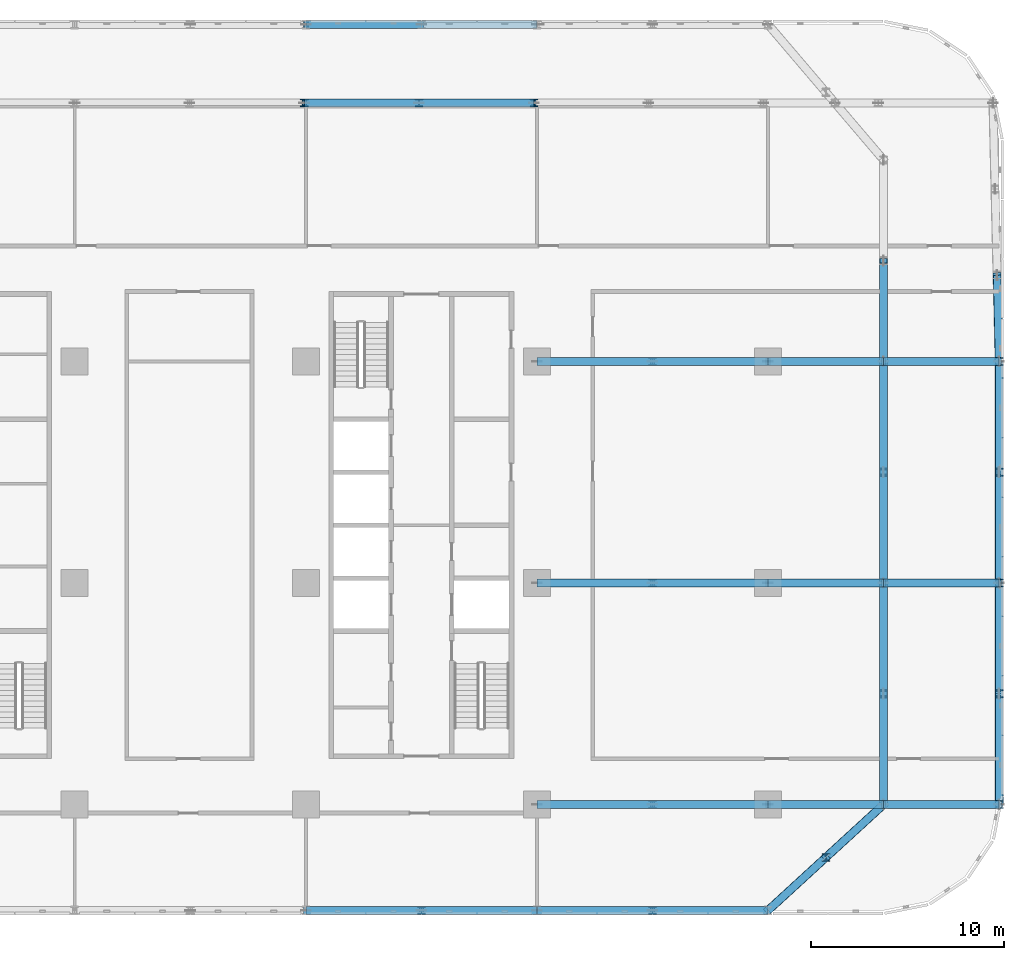
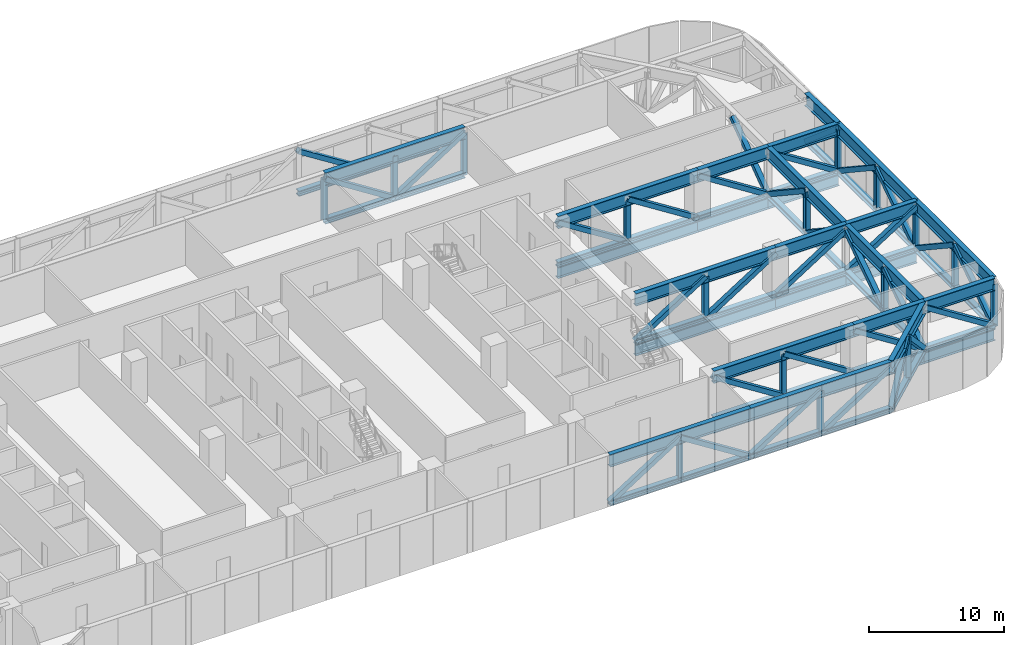
# One storey, part 6 of 26: 84 members, 9 beams.
"""IFC4 building model written with IfcOpenShell, lengths in metres."""

from ifc_helpers import new_model, si_unit, direction, frame, origin, origin_2d, place, context, subcontext, project, spatial, hollow_rectangle, i_section, extrude, material, material_profile, profile_set, type_object, element, save


model = new_model("IFC4")

# Units and contexts
model_context = context("Model", 3, precision=1e-05, world=origin(), true_north=direction((0.0, 1.0)))
body_context = subcontext(model_context, "Body", "Model", "MODEL_VIEW")
ifc_project = project(units=[si_unit("LENGTHUNIT", "METRE"), si_unit("AREAUNIT", "SQUARE_METRE"), si_unit("VOLUMEUNIT", "CUBIC_METRE"), si_unit("PLANEANGLEUNIT", "RADIAN"), si_unit("MASSUNIT", "GRAM", prefix="KILO")], contexts=[model_context])

# Site, building, storey
site_placement = place(None, origin())
site = spatial("IfcSite", under=ifc_project, at=site_placement, CompositionType="ELEMENT")
building_placement = place(site_placement, origin())
building = spatial("IfcBuilding", under=site, at=building_placement, Name="Mahtab Terrace Research Tower", CompositionType="ELEMENT")
storey_placement = place(building_placement, frame((0.0, 0.0, 117.60009765625)))
storey = spatial("IfcBuildingStorey", under=building, at=storey_placement, Name="L27", CompositionType="ELEMENT", Elevation=117.60009765625)

# Members
ifc_material_1 = material(Name="Steel ASTM A500 Gr C", Category="steel")
ifc_material_profile_1 = material_profile(ifc_material_1, hollow_rectangle(XDim=0.406494140625, YDim=0.406494140625, WallThickness=0.015869140625, at=origin_2d()), Name="HSS16X16X5/8")
ifc_profile_set_1 = profile_set([ifc_material_profile_1], Name="Steel ASTM A500 Gr C")
member_type_1 = type_object("IfcMemberType", Name="HSS 16x16x5/8 brace TD161658", PredefinedType="BRACE", material=ifc_profile_set_1)
member_1_placement = place(storey_placement, frame((23.881103515625, 24.927001953125, -0.308837890625), z_axis=(-0.842558351609, 0.0, 0.538605072511), x_axis=(0.0, -1.0, 0.0)))
element("IfcMember", 1, at=member_1_placement, inside=storey, type_object=member_type_1, Name="Transfer truss T3 diagonal 054", PredefinedType="BRACE", context=body_context, shape_type="SweptSolid", body=[
    extrude(hollow_rectangle(XDim=0.406494140625, YDim=0.406494140625, WallThickness=0.015869140625, at=origin_2d()), origin(), (0.0, 0.0, 1.0), 7.073974609375),
])
member_2_placement = place(storey_placement, frame((18.0, -17.0, -0.308837890625), z_axis=(0.844178766056, 0.0, 0.536061760379), x_axis=(0.0, 1.0, 0.0)))
element("IfcMember", 2, at=member_2_placement, inside=storey, type_object=member_type_1, Name="Transfer truss T3 diagonal 055", PredefinedType="BRACE", context=body_context, shape_type="SweptSolid", body=[
    extrude(hollow_rectangle(XDim=0.406494140625, YDim=0.406494140625, WallThickness=0.015869140625, at=origin_2d()), origin(), (0.0, 0.0, 1.0), 7.107421875),
])
member_3_placement = place(storey_placement, frame((23.881103515625, 24.927001953125, -0.308837890625), z_axis=(0.842548339198, 0.0, 0.538620734947), x_axis=(0.0, 1.0, 0.0)))
element("IfcMember", 3, at=member_3_placement, inside=storey, type_object=member_type_1, Name="Transfer truss T3 diagonal 057", PredefinedType="BRACE", context=body_context, shape_type="SweptSolid", body=[
    extrude(hollow_rectangle(XDim=0.406494140625, YDim=0.406494140625, WallThickness=0.015869140625, at=origin_2d()), origin(), (0.0, 0.0, 1.0), 7.07373046875),
])
for number, where, z_axis, x_axis, name in (
    (4, (30.0, -17.0, -0.308837890625), (-0.844178766056, 0.0, 0.536061760379), (0.0, -1.0, 0.0), "Transfer truss T3 diagonal 058"),
    (5, (24.0, 29.0, -0.308837890625), (-0.844178766056, 0.0, 0.536061760379), (0.0, -1.0, 0.0), "Transfer truss T3 diagonal 059"),
    (6, (30.0, -17.0, -0.308837890625), (0.844178766056, 0.0, 0.536061760379), (0.0, 1.0, 0.0), "Transfer truss T3 diagonal 061"),
    (7, (36.0, -11.5, -0.308837890625), (-0.844178766056, 0.0, 0.536061760379), (0.0, -1.0, 0.0), "Transfer truss T3 diagonal 062"),
    (8, (30.0, 0.0, -0.308837890625), (0.844178766056, 0.0, 0.536061760379), (0.0, 1.0, 0.0), "Transfer truss T3 diagonal 063"),
    (9, (36.0, 11.5, -0.308837890625), (-0.844178766056, 0.0, 0.536061760379), (0.0, -1.0, 0.0), "Transfer truss T3 diagonal 064"),
    (10, (36.0, -17.0, -0.308837890625), (0.844178766056, 0.0, 0.536061760379), (0.0, 1.0, 0.0), "Transfer truss T3 diagonal 067"),
    (11, (42.0, -11.5, -0.308837890625), (-0.844178766056, 0.0, 0.536061760379), (0.0, -1.0, 0.0), "Transfer truss T3 diagonal 068"),
    (12, (36.0, 0.0, -0.308837890625), (0.844178766056, 0.0, 0.536061760379), (0.0, 1.0, 0.0), "Transfer truss T3 diagonal 069"),
    (13, (42.0, 11.5, -0.308837890625), (-0.844178766056, 0.0, 0.536061760379), (0.0, -1.0, 0.0), "Transfer truss T3 diagonal 070"),
):
    element("IfcMember", number, at=place(storey_placement, frame(where, z_axis=z_axis, x_axis=x_axis)), inside=storey, type_object=member_type_1, Name=name, PredefinedType="BRACE", context=body_context, shape_type="SweptSolid", body=[
        extrude(hollow_rectangle(XDim=0.406494140625, YDim=0.406494140625, WallThickness=0.015869140625, at=origin_2d()), origin(), (0.0, 0.0, 1.0), 7.107421875),
    ])
member_4_placement = place(storey_placement, frame((42.0, -17.0, -0.308837890625), z_axis=(0.53813025729, 0.493286069182, 0.683435937115), x_axis=(-0.675724628517, 0.737154140201, 0.0)))
element("IfcMember", 14, at=member_4_placement, inside=storey, type_object=member_type_1, Name="Transfer truss T3 diagonal 073", PredefinedType="BRACE", context=body_context, shape_type="SweptSolid", body=[
    extrude(hollow_rectangle(XDim=0.406494140625, YDim=0.406494140625, WallThickness=0.015869140625, at=origin_2d()), origin(), (0.0, 0.0, 1.0), 5.574951171875),
])
for number, where, z_axis, x_axis, name in (
    (15, (48.0, -11.5, -0.308837890625), (-0.844178766056, 0.0, 0.536061760379), (0.0, -1.0, 0.0), "Transfer truss T3 diagonal 074"),
    (16, (42.0, 0.0, -0.308837890625), (0.844178766056, 0.0, 0.536061760379), (0.0, 1.0, 0.0), "Transfer truss T3 diagonal 075"),
    (17, (48.0, 11.5, -0.308837890625), (-0.844178766056, 0.0, 0.536061760379), (0.0, -1.0, 0.0), "Transfer truss T3 diagonal 076"),
):
    element("IfcMember", number, at=place(storey_placement, frame(where, z_axis=z_axis, x_axis=x_axis)), inside=storey, type_object=member_type_1, Name=name, PredefinedType="BRACE", context=body_context, shape_type="SweptSolid", body=[
        extrude(hollow_rectangle(XDim=0.406494140625, YDim=0.406494140625, WallThickness=0.015869140625, at=origin_2d()), origin(), (0.0, 0.0, 1.0), 7.107421875),
    ])
member_5_placement = place(storey_placement, frame((48.0, -11.5, -0.308837890625), z_axis=(-0.53813025729, -0.493286069182, 0.683435937115), x_axis=(0.675724628517, -0.737154140201, 0.0)))
element("IfcMember", 18, at=member_5_placement, inside=storey, type_object=member_type_1, Name="Transfer truss T3 diagonal 078", PredefinedType="BRACE", context=body_context, shape_type="SweptSolid", body=[
    extrude(hollow_rectangle(XDim=0.406494140625, YDim=0.406494140625, WallThickness=0.015869140625, at=origin_2d()), origin(), (0.0, 0.0, 1.0), 5.574951171875),
])
member_6_placement = place(storey_placement, frame((48.0, -11.5, -0.308837890625), z_axis=(0.0, 0.833604360198, 0.55236199241), x_axis=(-1.0, 0.0, 0.0)))
element("IfcMember", 19, at=member_6_placement, inside=storey, type_object=member_type_1, Name="Transfer truss T3 diagonal 083", PredefinedType="BRACE", context=body_context, shape_type="SweptSolid", body=[
    extrude(hollow_rectangle(XDim=0.406494140625, YDim=0.406494140625, WallThickness=0.015869140625, at=origin_2d()), origin(), (0.0, 0.0, 1.0), 6.897705078125),
])
member_7_placement = place(storey_placement, frame((54.0, -11.5, -0.308837890625), z_axis=(-0.844178766056, 0.0, 0.536061760379), x_axis=(0.0, -1.0, 0.0)))
element("IfcMember", 20, at=member_7_placement, inside=storey, type_object=member_type_1, Name="Transfer truss T3 diagonal 084", PredefinedType="BRACE", context=body_context, shape_type="SweptSolid", body=[
    extrude(hollow_rectangle(XDim=0.406494140625, YDim=0.406494140625, WallThickness=0.015869140625, at=origin_2d()), origin(), (0.0, 0.0, 1.0), 7.107421875),
])
for number, where, z_axis, x_axis, name in (
    (21, (48.0, -5.75, -0.308837890625), (0.0, 0.833604360198, 0.55236199241), (-1.0, 0.0, 0.0), "Transfer truss T3 diagonal 085"),
    (22, (48.0, 5.75, -0.308837890625), (0.0, -0.833604360198, 0.55236199241), (1.0, 0.0, 0.0), "Transfer truss T3 diagonal 086"),
):
    element("IfcMember", number, at=place(storey_placement, frame(where, z_axis=z_axis, x_axis=x_axis)), inside=storey, type_object=member_type_1, Name=name, PredefinedType="BRACE", context=body_context, shape_type="SweptSolid", body=[
        extrude(hollow_rectangle(XDim=0.406494140625, YDim=0.406494140625, WallThickness=0.015869140625, at=origin_2d()), origin(), (0.0, 0.0, 1.0), 6.897705078125),
    ])
member_8_placement = place(storey_placement, frame((48.0, 0.0, -0.308837890625), z_axis=(0.844178766056, 0.0, 0.536061760379), x_axis=(0.0, 1.0, 0.0)))
element("IfcMember", 23, at=member_8_placement, inside=storey, type_object=member_type_1, Name="Transfer truss T3 diagonal 087", PredefinedType="BRACE", context=body_context, shape_type="SweptSolid", body=[
    extrude(hollow_rectangle(XDim=0.406494140625, YDim=0.406494140625, WallThickness=0.015869140625, at=origin_2d()), origin(), (0.0, 0.0, 1.0), 7.107421875),
])
member_9_placement = place(storey_placement, frame((48.0, 11.5, -0.308837890625), z_axis=(0.0, -0.833604360198, 0.55236199241), x_axis=(1.0, 0.0, 0.0)))
element("IfcMember", 24, at=member_9_placement, inside=storey, type_object=member_type_1, Name="Transfer truss T3 diagonal 088", PredefinedType="BRACE", context=body_context, shape_type="SweptSolid", body=[
    extrude(hollow_rectangle(XDim=0.406494140625, YDim=0.406494140625, WallThickness=0.015869140625, at=origin_2d()), origin(), (0.0, 0.0, 1.0), 6.897705078125),
])
member_10_placement = place(storey_placement, frame((48.0, 11.5, -0.308837890625), z_axis=(0.0, 0.808314978621, 0.588750282664), x_axis=(-1.0, 0.0, 0.0)))
element("IfcMember", 25, at=member_10_placement, inside=storey, type_object=member_type_1, Name="Transfer truss T3 diagonal 089", PredefinedType="BRACE", context=body_context, shape_type="SweptSolid", body=[
    extrude(hollow_rectangle(XDim=0.406494140625, YDim=0.406494140625, WallThickness=0.015869140625, at=origin_2d()), origin(), (0.0, 0.0, 1.0), 6.471435546875),
])
member_11_placement = place(storey_placement, frame((54.0, 11.5, -0.308837890625), z_axis=(-0.844178766056, 0.0, 0.536061760379), x_axis=(0.0, -1.0, 0.0)))
element("IfcMember", 26, at=member_11_placement, inside=storey, type_object=member_type_1, Name="Transfer truss T3 diagonal 090", PredefinedType="BRACE", context=body_context, shape_type="SweptSolid", body=[
    extrude(hollow_rectangle(XDim=0.406494140625, YDim=0.406494140625, WallThickness=0.015869140625, at=origin_2d()), origin(), (0.0, 0.0, 1.0), 7.107421875),
])
member_12_placement = place(storey_placement, frame((53.89404296875, 15.97607421875, -0.308837890625), z_axis=(0.018022871208, -0.761362490137, 0.648075871118), x_axis=(0.999719939064, 0.023665236912, 0.0)))
element("IfcMember", 27, at=member_12_placement, inside=storey, type_object=member_type_1, Name="Transfer truss T3 diagonal 095", PredefinedType="BRACE", context=body_context, shape_type="SweptSolid", body=[
    extrude(hollow_rectangle(XDim=0.406494140625, YDim=0.406494140625, WallThickness=0.015869140625, at=origin_2d()), origin(), (0.0, 0.0, 1.0), 5.879150390625),
])
for number, where, z_axis, x_axis, name in (
    (28, (54.0, -11.5, -0.308837890625), (0.0, 0.833604360198, 0.55236199241), (-1.0, 0.0, 0.0), "Transfer truss T3 diagonal 096"),
    (29, (54.0, 0.0, -0.308837890625), (0.0, -0.833604360198, 0.55236199241), (1.0, 0.0, 0.0), "Transfer truss T3 diagonal 097"),
    (30, (54.0, 0.0, -0.308837890625), (0.0, 0.833604360198, 0.55236199241), (-1.0, 0.0, 0.0), "Transfer truss T3 diagonal 098"),
    (31, (54.0, 11.5, -0.308837890625), (0.0, -0.833604360198, 0.55236199241), (1.0, 0.0, 0.0), "Transfer truss T3 diagonal 099"),
):
    element("IfcMember", number, at=place(storey_placement, frame(where, z_axis=z_axis, x_axis=x_axis)), inside=storey, type_object=member_type_1, Name=name, PredefinedType="BRACE", context=body_context, shape_type="SweptSolid", body=[
        extrude(hollow_rectangle(XDim=0.406494140625, YDim=0.406494140625, WallThickness=0.015869140625, at=origin_2d()), origin(), (0.0, 0.0, 1.0), 6.897705078125),
    ])
ifc_material_2 = material(Name="Steel ASTM A992 Gr 50", Category="steel")
ifc_material_profile_2 = material_profile(ifc_material_2, i_section(OverallWidth=0.398681640625, OverallDepth=0.393798828125, WebThickness=0.022705078125, FlangeThickness=0.03662109375, at=origin_2d()), Name="W14X193")
ifc_profile_set_2 = profile_set([ifc_material_profile_2], Name="Steel ASTM A992 Gr 50")
member_type_2 = type_object("IfcMemberType", Name="W14x193 post TP14193", PredefinedType="POST", material=ifc_profile_set_2)
for number, where, z_axis, x_axis, name in (
    (32, (17.919921875, 24.929931640625, -0.308837890625), (0.0, 0.0, 1.0), (1.0, 0.0, 0.0), "Transfer truss T3 post 052"),
    (33, (23.8798828125, 24.929931640625, -0.308837890625), (0.0, 0.0, 1.0), (1.0, 0.0, 0.0), "Transfer truss T3 post 055"),
    (34, (24.0, -17.0, -0.308837890625), (0.0, 0.0, 1.0), (1.0, 0.0, 0.0), "Transfer truss T3 post 056"),
    (35, (29.840087890625, 24.929931640625, -0.308837890625), (0.0, 0.0, 1.0), (1.0, 0.0, 0.0), "Transfer truss T3 post 058"),
    (36, (36.0, -17.0, -0.308837890625), (0.0, 0.0, 1.0), (1.0, 0.0, 0.0), "Transfer truss T3 post 065"),
    (37, (36.0, -11.5, -0.308837890625), (0.0, 0.0, 1.0), (1.0, 0.0, 0.0), "Transfer truss T3 post 066"),
    (38, (36.0, 0.0, -0.308837890625), (0.0, 0.0, 1.0), (1.0, 0.0, 0.0), "Transfer truss T3 post 067"),
    (39, (36.0, 11.5, -0.308837890625), (0.0, 0.0, 1.0), (1.0, 0.0, 0.0), "Transfer truss T3 post 068"),
    (40, (45.0, -14.25, -0.308837890625), (0.0, 0.0, 1.0), (1.0, 0.0, 0.0), "Transfer truss T3 post 076"),
    (41, (48.0, -5.75, -0.308837890625), (0.0, 0.0, 1.0), (1.0, 0.0, 0.0), "Transfer truss T3 post 081"),
    (42, (48.0, 5.75, -0.308837890625), (0.0, 0.0, 1.0), (1.0, 0.0, 0.0), "Transfer truss T3 post 083"),
    (43, (54.0, -11.5, -0.308837890625), (0.0, 0.0, 1.0), (1.0, 0.0, 0.0), "Transfer truss T3 post 090"),
    (44, (54.0, -5.75, -0.308837890625), (0.0, 0.0, 1.0), (1.0, 0.0, 0.0), "Transfer truss T3 post 091"),
    (45, (54.0, 0.0, -0.308837890625), (0.0, 0.0, 1.0), (1.0, 0.0, 0.0), "Transfer truss T3 post 092"),
    (46, (54.0, 5.75, -0.308837890625), (0.0, 0.0, 1.0), (1.0, 0.0, 0.0), "Transfer truss T3 post 093"),
    (47, (54.0, 11.5, -0.308837890625), (0.0, 0.0, 1.0), (1.0, 0.0, 0.0), "Transfer truss T3 post 094"),
):
    element("IfcMember", number, at=place(storey_placement, frame(where, z_axis=z_axis, x_axis=x_axis)), inside=storey, type_object=member_type_2, Name=name, PredefinedType="POST", context=body_context, shape_type="SweptSolid", body=[
        extrude(i_section(OverallWidth=0.398681640625, OverallDepth=0.393798828125, WebThickness=0.022705078125, FlangeThickness=0.03662109375, at=origin_2d()), origin(), (0.0, 0.0, 1.0), 3.81005859375),
    ])
ifc_material_profile_3 = material_profile(ifc_material_2, i_section(OverallWidth=0.4267578125, OverallDepth=0.482666015625, WebThickness=0.05126953125, FlangeThickness=0.08154296875, at=origin_2d()), Name="W14X455")
ifc_profile_set_3 = profile_set([ifc_material_profile_3], Name="Steel ASTM A992 Gr 50")
member_type_3 = type_object("IfcMemberType", Name="W14x455 chord TC14455", PredefinedType="CHORD", material=ifc_profile_set_3)
for number, where, z_axis, x_axis, name in (
    (48, (18.0, -17.0, -0.308837890625), (1.0, 0.0, 0.0), (0.0, 1.0, 0.0), "Transfer truss T3 bottom chord 018"),
    (49, (30.0, -17.0, -0.308837890625), (1.0, 0.0, 0.0), (0.0, 1.0, 0.0), "Transfer truss T3 bottom chord 019"),
):
    element("IfcMember", number, at=place(storey_placement, frame(where, z_axis=z_axis, x_axis=x_axis)), inside=storey, type_object=member_type_3, Name=name, PredefinedType="CHORD", context=body_context, shape_type="SweptSolid", body=[
        extrude(i_section(OverallWidth=0.4267578125, OverallDepth=0.482666015625, WebThickness=0.05126953125, FlangeThickness=0.08154296875, at=origin_2d()), origin(), (0.0, 0.0, 1.0), 12.0),
    ])
member_13_placement = place(storey_placement, frame((17.9208984375, 24.927001953125, -0.308837890625), z_axis=(1.0, 0.0, 0.0), x_axis=(0.0, 1.0, 0.0)))
element("IfcMember", 50, at=member_13_placement, inside=storey, type_object=member_type_3, Name="Transfer truss T3 bottom chord 027", PredefinedType="CHORD", context=body_context, shape_type="SweptSolid", body=[
    extrude(i_section(OverallWidth=0.4267578125, OverallDepth=0.482666015625, WebThickness=0.05126953125, FlangeThickness=0.08154296875, at=origin_2d()), origin(), (0.0, 0.0, 1.0), 11.920166015625),
])
for number, where, z_axis, x_axis, name in (
    (51, (30.0, 29.0, -0.308837890625), (-1.0, 0.0, 0.0), (0.0, -1.0, 0.0), "Transfer truss T3 bottom chord 031"),
    (52, (30.0, -11.5, -0.308837890625), (1.0, 0.0, 0.0), (0.0, 1.0, 0.0), "Transfer truss T3 bottom chord 037"),
):
    element("IfcMember", number, at=place(storey_placement, frame(where, z_axis=z_axis, x_axis=x_axis)), inside=storey, type_object=member_type_3, Name=name, PredefinedType="CHORD", context=body_context, shape_type="SweptSolid", body=[
        extrude(i_section(OverallWidth=0.4267578125, OverallDepth=0.482666015625, WebThickness=0.05126953125, FlangeThickness=0.08154296875, at=origin_2d()), origin(), (0.0, 0.0, 1.0), 12.0),
    ])
for number, where, z_axis, x_axis, name in (
    (53, (42.0, -11.5, -0.308837890625), (1.0, 0.0, 0.0), (0.0, 1.0, 0.0), "Transfer truss T3 bottom chord 038"),
    (54, (48.0, -11.5, -0.308837890625), (1.0, 0.0, 0.0), (0.0, 1.0, 0.0), "Transfer truss T3 bottom chord 039"),
):
    element("IfcMember", number, at=place(storey_placement, frame(where, z_axis=z_axis, x_axis=x_axis)), inside=storey, type_object=member_type_3, Name=name, PredefinedType="CHORD", context=body_context, shape_type="SweptSolid", body=[
        extrude(i_section(OverallWidth=0.4267578125, OverallDepth=0.482666015625, WebThickness=0.05126953125, FlangeThickness=0.08154296875, at=origin_2d()), origin(), (0.0, 0.0, 1.0), 6.0),
    ])
member_14_placement = place(storey_placement, frame((30.0, 0.0, -0.308837890625), z_axis=(1.0, 0.0, 0.0), x_axis=(0.0, 1.0, 0.0)))
element("IfcMember", 55, at=member_14_placement, inside=storey, type_object=member_type_3, Name="Transfer truss T3 bottom chord 040", PredefinedType="CHORD", context=body_context, shape_type="SweptSolid", body=[
    extrude(i_section(OverallWidth=0.4267578125, OverallDepth=0.482666015625, WebThickness=0.05126953125, FlangeThickness=0.08154296875, at=origin_2d()), origin(), (0.0, 0.0, 1.0), 12.0),
])
for number, where, z_axis, x_axis, name in (
    (56, (42.0, 0.0, -0.308837890625), (1.0, 0.0, 0.0), (0.0, 1.0, 0.0), "Transfer truss T3 bottom chord 041"),
    (57, (48.0, 0.0, -0.308837890625), (1.0, 0.0, 0.0), (0.0, 1.0, 0.0), "Transfer truss T3 bottom chord 042"),
):
    element("IfcMember", number, at=place(storey_placement, frame(where, z_axis=z_axis, x_axis=x_axis)), inside=storey, type_object=member_type_3, Name=name, PredefinedType="CHORD", context=body_context, shape_type="SweptSolid", body=[
        extrude(i_section(OverallWidth=0.4267578125, OverallDepth=0.482666015625, WebThickness=0.05126953125, FlangeThickness=0.08154296875, at=origin_2d()), origin(), (0.0, 0.0, 1.0), 6.0),
    ])
member_15_placement = place(storey_placement, frame((30.0, 11.5, -0.308837890625), z_axis=(1.0, 0.0, 0.0), x_axis=(0.0, 1.0, 0.0)))
element("IfcMember", 58, at=member_15_placement, inside=storey, type_object=member_type_3, Name="Transfer truss T3 bottom chord 043", PredefinedType="CHORD", context=body_context, shape_type="SweptSolid", body=[
    extrude(i_section(OverallWidth=0.4267578125, OverallDepth=0.482666015625, WebThickness=0.05126953125, FlangeThickness=0.08154296875, at=origin_2d()), origin(), (0.0, 0.0, 1.0), 12.0),
])
for number, where, z_axis, x_axis, name in (
    (59, (42.0, 11.5, -0.308837890625), (1.0, 0.0, 0.0), (0.0, 1.0, 0.0), "Transfer truss T3 bottom chord 044"),
    (60, (48.0, 11.5, -0.308837890625), (1.0, 0.0, 0.0), (0.0, 1.0, 0.0), "Transfer truss T3 bottom chord 045"),
):
    element("IfcMember", number, at=place(storey_placement, frame(where, z_axis=z_axis, x_axis=x_axis)), inside=storey, type_object=member_type_3, Name=name, PredefinedType="CHORD", context=body_context, shape_type="SweptSolid", body=[
        extrude(i_section(OverallWidth=0.4267578125, OverallDepth=0.482666015625, WebThickness=0.05126953125, FlangeThickness=0.08154296875, at=origin_2d()), origin(), (0.0, 0.0, 1.0), 6.0),
    ])
member_16_placement = place(storey_placement, frame((42.0, -17.0, -0.308837890625), z_axis=(0.737154140201, 0.675724628517, 0.0), x_axis=(-0.675724628517, 0.737154140201, 0.0)))
element("IfcMember", 61, at=member_16_placement, inside=storey, type_object=member_type_3, Name="Transfer truss T3 bottom chord 046", PredefinedType="CHORD", context=body_context, shape_type="SweptSolid", body=[
    extrude(i_section(OverallWidth=0.4267578125, OverallDepth=0.482666015625, WebThickness=0.05126953125, FlangeThickness=0.08154296875, at=origin_2d()), origin(), (0.0, 0.0, 1.0), 8.139404296875),
])
for number, where, z_axis, x_axis, name in (
    (62, (48.0, -11.5, -0.308837890625), (0.0, 1.0, 0.0), (-1.0, 0.0, 0.0), "Transfer truss T3 bottom chord 048"),
    (63, (48.0, 0.0, -0.308837890625), (0.0, 1.0, 0.0), (-1.0, 0.0, 0.0), "Transfer truss T3 bottom chord 049"),
):
    element("IfcMember", number, at=place(storey_placement, frame(where, z_axis=z_axis, x_axis=x_axis)), inside=storey, type_object=member_type_3, Name=name, PredefinedType="CHORD", context=body_context, shape_type="SweptSolid", body=[
        extrude(i_section(OverallWidth=0.4267578125, OverallDepth=0.482666015625, WebThickness=0.05126953125, FlangeThickness=0.08154296875, at=origin_2d()), origin(), (0.0, 0.0, 1.0), 11.5),
    ])
member_17_placement = place(storey_placement, frame((53.89404296875, 15.97607421875, -0.308837890625), z_axis=(0.023665236912, -0.999719939064, 0.0), x_axis=(0.999719939064, 0.023665236912, 0.0)))
element("IfcMember", 64, at=member_17_placement, inside=storey, type_object=member_type_3, Name="Transfer truss T3 bottom chord 052", PredefinedType="CHORD", context=body_context, shape_type="SweptSolid", body=[
    extrude(i_section(OverallWidth=0.4267578125, OverallDepth=0.482666015625, WebThickness=0.05126953125, FlangeThickness=0.08154296875, at=origin_2d()), origin(), (0.0, 0.0, 1.0), 4.477294921875),
])
for number, where, z_axis, x_axis, name in (
    (65, (54.0, 11.5, -0.308837890625), (0.0, -1.0, 0.0), (1.0, 0.0, 0.0), "Transfer truss T3 bottom chord 053"),
    (66, (54.0, 0.0, -0.308837890625), (0.0, -1.0, 0.0), (1.0, 0.0, 0.0), "Transfer truss T3 bottom chord 054"),
):
    element("IfcMember", number, at=place(storey_placement, frame(where, z_axis=z_axis, x_axis=x_axis)), inside=storey, type_object=member_type_3, Name=name, PredefinedType="CHORD", context=body_context, shape_type="SweptSolid", body=[
        extrude(i_section(OverallWidth=0.4267578125, OverallDepth=0.482666015625, WebThickness=0.05126953125, FlangeThickness=0.08154296875, at=origin_2d()), origin(), (0.0, 0.0, 1.0), 11.5),
    ])

# Beams
ifc_material_profile_4 = material_profile(ifc_material_2, i_section(OverallWidth=0.4013671875, OverallDepth=1.000732421875, WebThickness=0.01904296875, FlangeThickness=0.0361328125, at=origin_2d()), Name="W40X249")
ifc_profile_set_4 = profile_set([ifc_material_profile_4], Name="Steel ASTM A992 Gr 50")
beam_type = type_object("IfcBeamType", Name="W40x249 transfer girder TG40249", PredefinedType="BEAM", material=ifc_profile_set_4)
beam_1_placement = place(storey_placement, frame((30.0, -11.5, -1.048583984375), z_axis=(1.0, 0.0, 0.0), x_axis=(0.0, 1.0, 0.0)))
element("IfcBeam", 67, at=beam_1_placement, inside=storey, type_object=beam_type, Name="Transfer girder T3 09", PredefinedType="BEAM", context=body_context, shape_type="SweptSolid", body=[
    extrude(i_section(OverallWidth=0.4013671875, OverallDepth=1.000732421875, WebThickness=0.01904296875, FlangeThickness=0.0361328125, at=origin_2d()), origin(), (0.0, 0.0, 1.0), 12.0),
])
for number, where, z_axis, x_axis, name in (
    (68, (42.0, -11.5, -1.048583984375), (1.0, 0.0, 0.0), (0.0, 1.0, 0.0), "Transfer girder T3 10"),
    (69, (48.0, -11.5, -1.048583984375), (1.0, 0.0, 0.0), (0.0, 1.0, 0.0), "Transfer girder T3 11"),
):
    element("IfcBeam", number, at=place(storey_placement, frame(where, z_axis=z_axis, x_axis=x_axis)), inside=storey, type_object=beam_type, Name=name, PredefinedType="BEAM", context=body_context, shape_type="SweptSolid", body=[
        extrude(i_section(OverallWidth=0.4013671875, OverallDepth=1.000732421875, WebThickness=0.01904296875, FlangeThickness=0.0361328125, at=origin_2d()), origin(), (0.0, 0.0, 1.0), 6.0),
    ])
beam_2_placement = place(storey_placement, frame((30.0, 0.0, -1.048583984375), z_axis=(1.0, 0.0, 0.0), x_axis=(0.0, 1.0, 0.0)))
element("IfcBeam", 70, at=beam_2_placement, inside=storey, type_object=beam_type, Name="Transfer girder T3 12", PredefinedType="BEAM", context=body_context, shape_type="SweptSolid", body=[
    extrude(i_section(OverallWidth=0.4013671875, OverallDepth=1.000732421875, WebThickness=0.01904296875, FlangeThickness=0.0361328125, at=origin_2d()), origin(), (0.0, 0.0, 1.0), 12.0),
])
for number, where, z_axis, x_axis, name in (
    (71, (42.0, 0.0, -1.048583984375), (1.0, 0.0, 0.0), (0.0, 1.0, 0.0), "Transfer girder T3 13"),
    (72, (48.0, 0.0, -1.048583984375), (1.0, 0.0, 0.0), (0.0, 1.0, 0.0), "Transfer girder T3 14"),
):
    element("IfcBeam", number, at=place(storey_placement, frame(where, z_axis=z_axis, x_axis=x_axis)), inside=storey, type_object=beam_type, Name=name, PredefinedType="BEAM", context=body_context, shape_type="SweptSolid", body=[
        extrude(i_section(OverallWidth=0.4013671875, OverallDepth=1.000732421875, WebThickness=0.01904296875, FlangeThickness=0.0361328125, at=origin_2d()), origin(), (0.0, 0.0, 1.0), 6.0),
    ])
beam_3_placement = place(storey_placement, frame((30.0, 11.5, -1.048583984375), z_axis=(1.0, 0.0, 0.0), x_axis=(0.0, 1.0, 0.0)))
element("IfcBeam", 73, at=beam_3_placement, inside=storey, type_object=beam_type, Name="Transfer girder T3 15", PredefinedType="BEAM", context=body_context, shape_type="SweptSolid", body=[
    extrude(i_section(OverallWidth=0.4013671875, OverallDepth=1.000732421875, WebThickness=0.01904296875, FlangeThickness=0.0361328125, at=origin_2d()), origin(), (0.0, 0.0, 1.0), 12.0),
])
for number, where, z_axis, x_axis, name in (
    (74, (42.0, 11.5, -1.048583984375), (1.0, 0.0, 0.0), (0.0, 1.0, 0.0), "Transfer girder T3 16"),
    (75, (48.0, 11.5, -1.048583984375), (1.0, 0.0, 0.0), (0.0, 1.0, 0.0), "Transfer girder T3 17"),
):
    element("IfcBeam", number, at=place(storey_placement, frame(where, z_axis=z_axis, x_axis=x_axis)), inside=storey, type_object=beam_type, Name=name, PredefinedType="BEAM", context=body_context, shape_type="SweptSolid", body=[
        extrude(i_section(OverallWidth=0.4013671875, OverallDepth=1.000732421875, WebThickness=0.01904296875, FlangeThickness=0.0361328125, at=origin_2d()), origin(), (0.0, 0.0, 1.0), 6.0),
    ])

# Members
ifc_material_profile_5 = material_profile(ifc_material_2, i_section(OverallWidth=0.40380859375, OverallDepth=1.11767578125, WebThickness=0.026123046875, FlangeThickness=0.044921875, at=origin_2d()), Name="W44X335")
ifc_profile_set_5 = profile_set([ifc_material_profile_5], Name="Steel ASTM A992 Gr 50")
member_type_4 = type_object("IfcMemberType", Name="W44x335 chord TT44335", PredefinedType="CHORD", material=ifc_profile_set_5)
for number, where, z_axis, x_axis, name in (
    (76, (18.0, -17.0, 3.501220703125), (1.0, 0.0, 0.0), (0.0, 1.0, 0.0), "Transfer truss T3 top chord 018"),
    (77, (30.0, -17.0, 3.501220703125), (1.0, 0.0, 0.0), (0.0, 1.0, 0.0), "Transfer truss T3 top chord 019"),
):
    element("IfcMember", number, at=place(storey_placement, frame(where, z_axis=z_axis, x_axis=x_axis)), inside=storey, type_object=member_type_4, Name=name, PredefinedType="CHORD", context=body_context, shape_type="SweptSolid", body=[
        extrude(i_section(OverallWidth=0.40380859375, OverallDepth=1.11767578125, WebThickness=0.026123046875, FlangeThickness=0.044921875, at=origin_2d()), origin(), (0.0, 0.0, 1.0), 12.0),
    ])
member_18_placement = place(storey_placement, frame((17.9208984375, 24.927001953125, 3.501220703125), z_axis=(1.0, 0.0, 0.0), x_axis=(0.0, 1.0, 0.0)))
element("IfcMember", 78, at=member_18_placement, inside=storey, type_object=member_type_4, Name="Transfer truss T3 top chord 027", PredefinedType="CHORD", context=body_context, shape_type="SweptSolid", body=[
    extrude(i_section(OverallWidth=0.40380859375, OverallDepth=1.11767578125, WebThickness=0.026123046875, FlangeThickness=0.044921875, at=origin_2d()), origin(), (0.0, 0.0, 1.0), 11.920166015625),
])
member_19_placement = place(storey_placement, frame((30.0, -11.5, 3.501220703125), z_axis=(1.0, 0.0, 0.0), x_axis=(0.0, 1.0, 0.0)))
element("IfcMember", 79, at=member_19_placement, inside=storey, type_object=member_type_4, Name="Transfer truss T3 top chord 037", PredefinedType="CHORD", context=body_context, shape_type="SweptSolid", body=[
    extrude(i_section(OverallWidth=0.40380859375, OverallDepth=1.11767578125, WebThickness=0.026123046875, FlangeThickness=0.044921875, at=origin_2d()), origin(), (0.0, 0.0, 1.0), 12.0),
])
for number, where, z_axis, x_axis, name in (
    (80, (42.0, -11.5, 3.501220703125), (1.0, 0.0, 0.0), (0.0, 1.0, 0.0), "Transfer truss T3 top chord 038"),
    (81, (48.0, -11.5, 3.501220703125), (1.0, 0.0, 0.0), (0.0, 1.0, 0.0), "Transfer truss T3 top chord 039"),
):
    element("IfcMember", number, at=place(storey_placement, frame(where, z_axis=z_axis, x_axis=x_axis)), inside=storey, type_object=member_type_4, Name=name, PredefinedType="CHORD", context=body_context, shape_type="SweptSolid", body=[
        extrude(i_section(OverallWidth=0.40380859375, OverallDepth=1.11767578125, WebThickness=0.026123046875, FlangeThickness=0.044921875, at=origin_2d()), origin(), (0.0, 0.0, 1.0), 6.0),
    ])
member_20_placement = place(storey_placement, frame((30.0, 0.0, 3.501220703125), z_axis=(1.0, 0.0, 0.0), x_axis=(0.0, 1.0, 0.0)))
element("IfcMember", 82, at=member_20_placement, inside=storey, type_object=member_type_4, Name="Transfer truss T3 top chord 040", PredefinedType="CHORD", context=body_context, shape_type="SweptSolid", body=[
    extrude(i_section(OverallWidth=0.40380859375, OverallDepth=1.11767578125, WebThickness=0.026123046875, FlangeThickness=0.044921875, at=origin_2d()), origin(), (0.0, 0.0, 1.0), 12.0),
])
for number, where, z_axis, x_axis, name in (
    (83, (42.0, 0.0, 3.501220703125), (1.0, 0.0, 0.0), (0.0, 1.0, 0.0), "Transfer truss T3 top chord 041"),
    (84, (48.0, 0.0, 3.501220703125), (1.0, 0.0, 0.0), (0.0, 1.0, 0.0), "Transfer truss T3 top chord 042"),
):
    element("IfcMember", number, at=place(storey_placement, frame(where, z_axis=z_axis, x_axis=x_axis)), inside=storey, type_object=member_type_4, Name=name, PredefinedType="CHORD", context=body_context, shape_type="SweptSolid", body=[
        extrude(i_section(OverallWidth=0.40380859375, OverallDepth=1.11767578125, WebThickness=0.026123046875, FlangeThickness=0.044921875, at=origin_2d()), origin(), (0.0, 0.0, 1.0), 6.0),
    ])
member_21_placement = place(storey_placement, frame((30.0, 11.5, 3.501220703125), z_axis=(1.0, 0.0, 0.0), x_axis=(0.0, 1.0, 0.0)))
element("IfcMember", 85, at=member_21_placement, inside=storey, type_object=member_type_4, Name="Transfer truss T3 top chord 043", PredefinedType="CHORD", context=body_context, shape_type="SweptSolid", body=[
    extrude(i_section(OverallWidth=0.40380859375, OverallDepth=1.11767578125, WebThickness=0.026123046875, FlangeThickness=0.044921875, at=origin_2d()), origin(), (0.0, 0.0, 1.0), 12.0),
])
for number, where, z_axis, x_axis, name in (
    (86, (42.0, 11.5, 3.501220703125), (1.0, 0.0, 0.0), (0.0, 1.0, 0.0), "Transfer truss T3 top chord 044"),
    (87, (48.0, 11.5, 3.501220703125), (1.0, 0.0, 0.0), (0.0, 1.0, 0.0), "Transfer truss T3 top chord 045"),
):
    element("IfcMember", number, at=place(storey_placement, frame(where, z_axis=z_axis, x_axis=x_axis)), inside=storey, type_object=member_type_4, Name=name, PredefinedType="CHORD", context=body_context, shape_type="SweptSolid", body=[
        extrude(i_section(OverallWidth=0.40380859375, OverallDepth=1.11767578125, WebThickness=0.026123046875, FlangeThickness=0.044921875, at=origin_2d()), origin(), (0.0, 0.0, 1.0), 6.0),
    ])
member_22_placement = place(storey_placement, frame((42.0, -17.0, 3.501220703125), z_axis=(0.737154140201, 0.675724628517, 0.0), x_axis=(-0.675724628517, 0.737154140201, 0.0)))
element("IfcMember", 88, at=member_22_placement, inside=storey, type_object=member_type_4, Name="Transfer truss T3 top chord 046", PredefinedType="CHORD", context=body_context, shape_type="SweptSolid", body=[
    extrude(i_section(OverallWidth=0.40380859375, OverallDepth=1.11767578125, WebThickness=0.026123046875, FlangeThickness=0.044921875, at=origin_2d()), origin(), (0.0, 0.0, 1.0), 8.139404296875),
])
for number, where, z_axis, x_axis, name in (
    (89, (48.0, -11.5, 3.501220703125), (0.0, 1.0, 0.0), (-1.0, 0.0, 0.0), "Transfer truss T3 top chord 048"),
    (90, (48.0, 0.0, 3.501220703125), (0.0, 1.0, 0.0), (-1.0, 0.0, 0.0), "Transfer truss T3 top chord 049"),
):
    element("IfcMember", number, at=place(storey_placement, frame(where, z_axis=z_axis, x_axis=x_axis)), inside=storey, type_object=member_type_4, Name=name, PredefinedType="CHORD", context=body_context, shape_type="SweptSolid", body=[
        extrude(i_section(OverallWidth=0.40380859375, OverallDepth=1.11767578125, WebThickness=0.026123046875, FlangeThickness=0.044921875, at=origin_2d()), origin(), (0.0, 0.0, 1.0), 11.5),
    ])
member_23_placement = place(storey_placement, frame((53.89404296875, 15.97607421875, 3.501220703125), z_axis=(0.023665236912, -0.999719939064, 0.0), x_axis=(0.999719939064, 0.023665236912, 0.0)))
element("IfcMember", 91, at=member_23_placement, inside=storey, type_object=member_type_4, Name="Transfer truss T3 top chord 052", PredefinedType="CHORD", context=body_context, shape_type="SweptSolid", body=[
    extrude(i_section(OverallWidth=0.40380859375, OverallDepth=1.11767578125, WebThickness=0.026123046875, FlangeThickness=0.044921875, at=origin_2d()), origin(), (0.0, 0.0, 1.0), 4.477294921875),
])
for number, where, z_axis, x_axis, name in (
    (92, (54.0, 11.5, 3.501220703125), (0.0, -1.0, 0.0), (1.0, 0.0, 0.0), "Transfer truss T3 top chord 053"),
    (93, (54.0, 0.0, 3.501220703125), (0.0, -1.0, 0.0), (1.0, 0.0, 0.0), "Transfer truss T3 top chord 054"),
):
    element("IfcMember", number, at=place(storey_placement, frame(where, z_axis=z_axis, x_axis=x_axis)), inside=storey, type_object=member_type_4, Name=name, PredefinedType="CHORD", context=body_context, shape_type="SweptSolid", body=[
        extrude(i_section(OverallWidth=0.40380859375, OverallDepth=1.11767578125, WebThickness=0.026123046875, FlangeThickness=0.044921875, at=origin_2d()), origin(), (0.0, 0.0, 1.0), 11.5),
    ])

save(model, "model.ifc")
